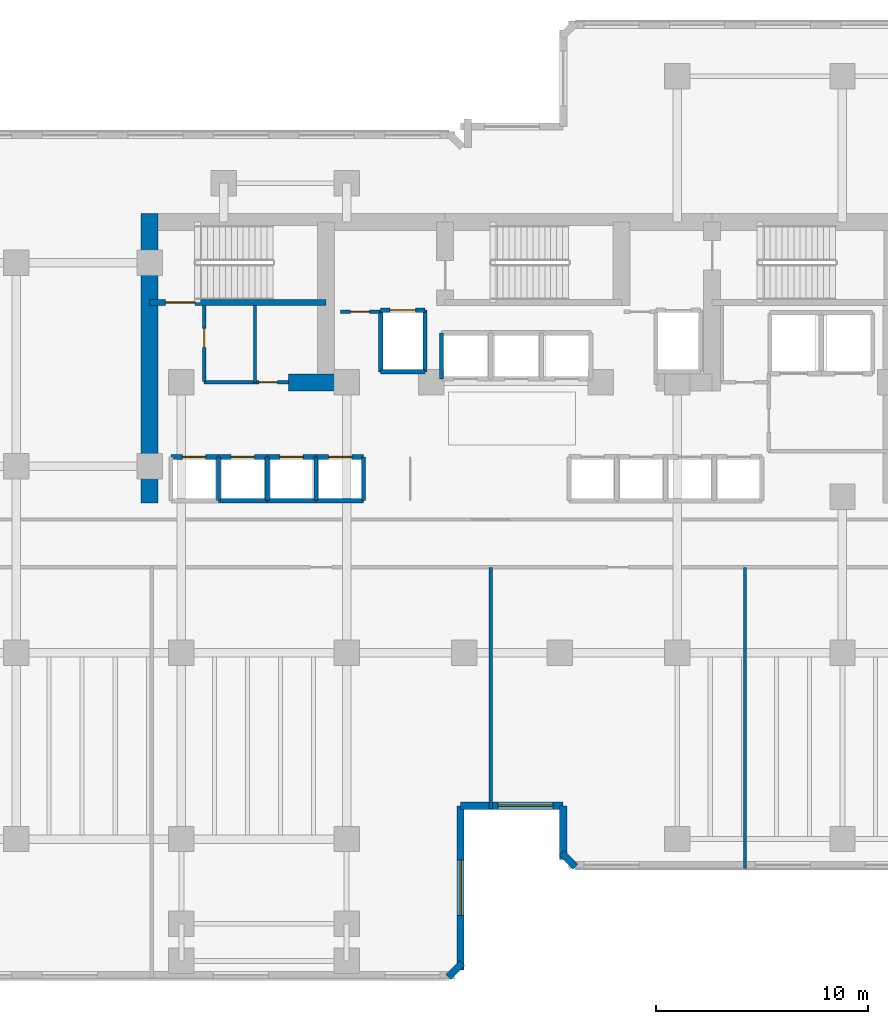
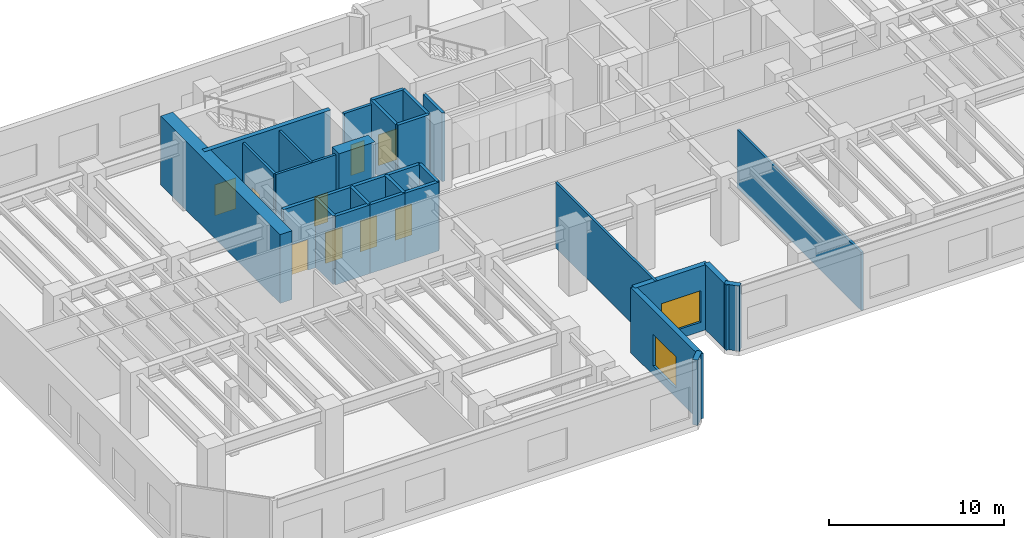
# One storey, part 10 of 17: 30 walls, 9 doors, 2 windows, 11 openings.
"""IFC4 building model written with IfcOpenShell, lengths in metres."""

from ifc_helpers import new_model, si_unit, direction, frame, frame_2d, origin, place, context, subcontext, project, spatial, rectangle, extrude, material, layer, layer_set, type_object, element, fill, save


model = new_model("IFC4")

# Units and contexts
model_context = context("Model", 3, precision=1e-05, world=origin(), true_north=direction((0.0, 1.0)))
body_context = subcontext(model_context, "Body", "Model", "MODEL_VIEW")
ifc_project = project(units=[si_unit("LENGTHUNIT", "METRE"), si_unit("AREAUNIT", "SQUARE_METRE"), si_unit("VOLUMEUNIT", "CUBIC_METRE"), si_unit("PLANEANGLEUNIT", "RADIAN"), si_unit("MASSUNIT", "GRAM", prefix="KILO")], contexts=[model_context])

# Site, building, storey
site_placement = place(None, origin())
site = spatial("IfcSite", under=ifc_project, at=site_placement, CompositionType="ELEMENT")
building_placement = place(site_placement, origin())
building = spatial("IfcBuilding", under=site, at=building_placement, Name="Kestravale Grand Hotel", CompositionType="ELEMENT")
storey_placement = place(building_placement, frame((0.0, 0.0, 129.800048828125)))
storey = spatial("IfcBuildingStorey", under=building, at=storey_placement, Name="L32", CompositionType="ELEMENT", Elevation=129.800048828125)

# Walls
ifc_material_1 = material(Name="Concrete f'c 60 MPa", Category="concrete")
ifc_layer_1 = layer(ifc_material_1, 0.800048828125)
ifc_layer_set_1 = layer_set([ifc_layer_1], Name="EW-CORE-800")
wall_type_1 = type_object("IfcWallType", Name="EW-CORE-800", PredefinedType="SHEAR", material=ifc_layer_set_1)
wall_1_placement = place(storey_placement, frame((21.89990234375, 27.050048828125, 0.0), z_axis=(0.0, 0.0, 1.0), x_axis=(0.0, 1.0, 0.0)))
element("IfcWall", 1, at=wall_1_placement, inside=storey, type_object=wall_type_1, Name="L32 core shear wall W1", PredefinedType="SHEAR", context=body_context, shape_type="SweptSolid", body=[
    extrude(rectangle(XDim=13.669921875, YDim=0.800048828125, at=frame_2d((6.8349609375, 0.0))), origin(), (0.0, 0.0, 1.0), 4.800048828125),
])
wall_2_placement = place(storey_placement, frame((28.449951171875, 32.75, 0.0), z_axis=(0.0, 0.0, 1.0), x_axis=(1.0, 0.0, 0.0)))
element("IfcWall", 2, at=wall_2_placement, inside=storey, type_object=wall_type_1, Name="L32 core shear wall S1", PredefinedType="SHEAR", context=body_context, shape_type="SweptSolid", body=[
    extrude(rectangle(XDim=2.400146484375, YDim=0.800048828125, at=frame_2d((1.2001953125, 0.0))), origin(), (0.0, 0.0, 1.0), 4.800048828125),
])
ifc_material_2 = material(Name="Precast concrete f'c 45 MPa", Category="concrete")
ifc_layer_2 = layer(ifc_material_2, 0.340087890625)
ifc_layer_set_2 = layer_set([ifc_layer_2], Name="EW-PREC-340")
wall_type_2 = type_object("IfcWallType", Name="EW-PREC-340", PredefinedType="SOLIDWALL", material=ifc_layer_set_2)
wall_3_placement = place(storey_placement, frame((36.00146484375, 4.69189453125, 0.0), z_axis=(0.0, 0.0, 1.0), x_axis=(0.707238225886, 0.706975312048, 0.0)))
element("IfcWall", 3, at=wall_3_placement, inside=storey, type_object=wall_type_2, Name="L32 fluted precast facade wall 2", PredefinedType="SOLIDWALL", context=body_context, shape_type="SweptSolid", body=[
    extrude(rectangle(XDim=0.9287109375, YDim=0.340087890625, at=frame_2d((0.46435546875, 0.0))), origin(), (0.0, 0.0, 1.0), 4.550048828125),
])

# Wall, opening, window
wall_4_placement = place(storey_placement, frame((36.580078125, 5.030029296875, 0.0), z_axis=(0.0, 0.0, 1.0), x_axis=(0.0, 1.0, 0.0)))
wall_4 = element("IfcWall", 4, at=wall_4_placement, inside=storey, type_object=wall_type_2, Name="L32 fluted precast facade wall 3", PredefinedType="SOLIDWALL", context=body_context, shape_type="SweptSolid", body=[
    extrude(rectangle(XDim=7.739990234375, YDim=0.340087890625, at=frame_2d((3.8701171875, 0.0))), origin(), (0.0, 0.0, 1.0), 4.550048828125),
])
opening_1_placement = place(wall_4_placement, frame((2.570068359375, 0.0, 0.64990234375)))
opening_1 = element("IfcOpeningElement", 5, at=opening_1_placement, cuts=wall_4, Name="Opening W-SKY-2600", PredefinedType="OPENING", context=body_context, shape_type="SweptSolid", body=[
    extrude(rectangle(XDim=2.60009765625, YDim=2.199951171875, at=frame_2d((1.300048828125, 1.10009765625))), frame((0.0, 0.179931640625, 0.0), z_axis=(0.0, -1.0, 0.0), x_axis=(1.0, 0.0, 0.0)), (0.0, 0.0, 1.0), 0.360107421875),
])
ifc_material_3 = material(Name="Insulated low-E double glazing in aluminium frame", Category="aluminium")
window_type = type_object("IfcWindowType", Name="W-SKY-2600", PartitioningType="TRIPLE_PANEL_VERTICAL", PredefinedType="WINDOW", material=ifc_material_3)
window_1_placement = place(opening_1_placement, origin())
window_1 = element("IfcWindow", 6, at=window_1_placement, inside=storey, type_object=window_type, Name="L32 exterior window 3.1", OverallHeight=2.199951171875, OverallWidth=2.60009765625, PartitioningType="SINGLE_PANEL", PredefinedType="WINDOW", context=body_context, shape_type="SweptSolid", body=[
    extrude(rectangle(XDim=2.60009765625, YDim=2.199951171875, at=frame_2d((1.300048828125, 1.10009765625))), frame((0.0, 0.030029296875, 0.0), z_axis=(0.0, -1.0, 0.0), x_axis=(1.0, 0.0, 0.0)), (0.0, 0.0, 1.0), 0.06005859375),
])
fill(opening_1, window_1)

wall_5_placement = place(storey_placement, frame((36.580078125, 12.77001953125, 0.0), z_axis=(0.0, 0.0, 1.0), x_axis=(1.0, 0.0, 0.0)))
wall_5 = element("IfcWall", 7, at=wall_5_placement, inside=storey, type_object=wall_type_2, Name="L32 fluted precast facade wall 4", PredefinedType="SOLIDWALL", context=body_context, shape_type="SweptSolid", body=[
    extrude(rectangle(XDim=4.83984375, YDim=0.340087890625, at=frame_2d((2.419921875, 0.0))), origin(), (0.0, 0.0, 1.0), 4.550048828125),
])
opening_2_placement = place(wall_5_placement, frame((1.77001953125, 0.0, 0.64990234375)))
opening_2 = element("IfcOpeningElement", 8, at=opening_2_placement, cuts=wall_5, Name="Opening W-SKY-2600", PredefinedType="OPENING", context=body_context, shape_type="SweptSolid", body=[
    extrude(rectangle(XDim=2.60009765625, YDim=2.199951171875, at=frame_2d((1.300048828125, 1.10009765625))), frame((0.0, 0.179931640625, 0.0), z_axis=(0.0, -1.0, 0.0), x_axis=(1.0, 0.0, 0.0)), (0.0, 0.0, 1.0), 0.360107421875),
])
window_2_placement = place(opening_2_placement, origin())
window_2 = element("IfcWindow", 9, at=window_2_placement, inside=storey, type_object=window_type, Name="L32 exterior window 4.1", OverallHeight=2.199951171875, OverallWidth=2.60009765625, PartitioningType="SINGLE_PANEL", PredefinedType="WINDOW", context=body_context, shape_type="SweptSolid", body=[
    extrude(rectangle(XDim=2.60009765625, YDim=2.199951171875, at=frame_2d((1.300048828125, 1.10009765625))), frame((0.0, 0.030029296875, 0.0), z_axis=(0.0, -1.0, 0.0), x_axis=(1.0, 0.0, 0.0)), (0.0, 0.0, 1.0), 0.06005859375),
])
fill(opening_2, window_2)

# Walls
wall_6_placement = place(storey_placement, frame((41.419921875, 12.77001953125, 0.0), z_axis=(0.0, 0.0, 1.0), x_axis=(0.0, -1.0, 0.0)))
element("IfcWall", 10, at=wall_6_placement, inside=storey, type_object=wall_type_2, Name="L32 fluted precast facade wall 5", PredefinedType="SOLIDWALL", context=body_context, shape_type="SweptSolid", body=[
    extrude(rectangle(XDim=2.5400390625, YDim=0.340087890625, at=frame_2d((1.27001953125, 0.0))), origin(), (0.0, 0.0, 1.0), 4.550048828125),
])
wall_7_placement = place(storey_placement, frame((41.341796875, 10.548583984375, 0.0), z_axis=(0.0, 0.0, 1.0), x_axis=(0.707106781187, -0.707106781187, 0.0)))
element("IfcWall", 11, at=wall_7_placement, inside=storey, type_object=wall_type_2, Name="L32 fluted precast facade wall 6", PredefinedType="SOLIDWALL", context=body_context, shape_type="SweptSolid", body=[
    extrude(rectangle(XDim=0.9287109375, YDim=0.340087890625, at=frame_2d((0.46435546875, 0.0))), origin(), (0.0, 0.0, 1.0), 4.550048828125),
])

# Wall, opening, door
ifc_material_4 = material(Name="Concrete f'c 45 MPa", Category="concrete")
ifc_layer_3 = layer(ifc_material_4, 0.300048828125)
ifc_layer_set_3 = layer_set([ifc_layer_3], Name="EW-STAIR-300")
wall_type_3 = type_object("IfcWallType", Name="EW-STAIR-300", PredefinedType="SHEAR", material=ifc_layer_set_3)
wall_8_placement = place(storey_placement, frame((21.89990234375, 36.52001953125, 0.0), z_axis=(0.0, 0.0, 1.0), x_axis=(1.0, 0.0, 0.0)))
wall_8 = element("IfcWall", 12, at=wall_8_placement, inside=storey, type_object=wall_type_3, Name="L32 stair enclosure shear wall SST1", PredefinedType="SHEAR", context=body_context, shape_type="SweptSolid", body=[
    extrude(rectangle(XDim=8.320068359375, YDim=0.300048828125, at=frame_2d((4.16015625, 0.0))), origin(), (0.0, 0.0, 1.0), 4.800048828125),
])
opening_3_placement = place(wall_8_placement, frame((0.75, 0.0, 0.0)))
opening_3 = element("IfcOpeningElement", 13, at=opening_3_placement, cuts=wall_8, Name="Opening D-ST-1400", PredefinedType="OPENING", context=body_context, shape_type="SweptSolid", body=[
    extrude(rectangle(XDim=1.39990234375, YDim=2.14990234375, at=frame_2d((0.699951171875, 1.074951171875))), frame((0.0, 0.159912109375, 0.0), z_axis=(0.0, -1.0, 0.0), x_axis=(1.0, 0.0, 0.0)), (0.0, 0.0, 1.0), 0.320068359375),
])
ifc_material_5 = material(Name="Galvanised 90-minute fire-rated steel stair door, double leaf", Category="steel")
door_type_1 = type_object("IfcDoorType", Name="D-ST-1400", OperationType="NOTDEFINED", PredefinedType="DOOR", material=ifc_material_5)
door_1_placement = place(opening_3_placement, origin())
door_1 = element("IfcDoor", 14, at=door_1_placement, inside=storey, type_object=door_type_1, Name="L32 Stair ST-1 fire door", OperationType="DOUBLE_DOOR_SINGLE_SWING", OverallHeight=2.14990234375, OverallWidth=1.39990234375, PredefinedType="DOOR", context=body_context, shape_type="SweptSolid", body=[
    extrude(rectangle(XDim=1.39990234375, YDim=2.14990234375, at=frame_2d((0.699951171875, 1.074951171875))), frame((0.0, 0.02490234375, 0.0), z_axis=(0.0, -1.0, 0.0), x_axis=(1.0, 0.0, 0.0)), (0.0, 0.0, 1.0), 0.050048828125),
])
fill(opening_3, door_1)

ifc_material_6 = material(Name="Acoustic fire-rated gypsum board partition", Category="other")
ifc_layer_4 = layer(ifc_material_6, 0.159912109375)
ifc_layer_set_4 = layer_set([ifc_layer_4], Name="IW-CORR-160")
wall_type_4 = type_object("IfcWallType", Name="IW-CORR-160", PredefinedType="PARTITIONING", material=ifc_layer_set_4)
wall_9_placement = place(storey_placement, frame((24.47998046875, 32.800048828125, 0.0), z_axis=(0.0, 0.0, 1.0), x_axis=(0.0, 1.0, 0.0)))
wall_9 = element("IfcWall", 15, at=wall_9_placement, inside=storey, type_object=wall_type_4, Name="L32 west core vestibule wall", PredefinedType="PARTITIONING", context=body_context, shape_type="SweptSolid", body=[
    extrude(rectangle(XDim=3.570068359375, YDim=0.159912109375, at=frame_2d((1.78515625, 0.0))), origin(), (0.0, 0.0, 1.0), 4.550048828125),
])
opening_4_placement = place(wall_9_placement, frame((1.603515625, 0.0, 0.0)))
opening_4 = element("IfcOpeningElement", 16, at=opening_4_placement, cuts=wall_9, Name="Opening D-SH-900", PredefinedType="OPENING", context=body_context, shape_type="SweptSolid", body=[
    extrude(rectangle(XDim=0.89990234375, YDim=2.10009765625, at=frame_2d((0.449951171875, 1.050048828125))), frame((0.0, 0.08984375, 0.0), z_axis=(0.0, -1.0, 0.0), x_axis=(1.0, 0.0, 0.0)), (0.0, 0.0, 1.0), 0.179931640625),
])
ifc_material_7 = material(Name="Galvanised 90-minute shaft and service fire door", Category="steel")
door_type_2 = type_object("IfcDoorType", Name="D-SH-900", OperationType="NOTDEFINED", PredefinedType="DOOR", material=ifc_material_7)
door_2_placement = place(opening_4_placement, origin())
door_2 = element("IfcDoor", 17, at=door_2_placement, inside=storey, type_object=door_type_2, Name="D-L32-HK", OperationType="SINGLE_SWING_RIGHT", OverallHeight=2.10009765625, OverallWidth=0.89990234375, PredefinedType="DOOR", context=body_context, shape_type="SweptSolid", body=[
    extrude(rectangle(XDim=0.89990234375, YDim=2.10009765625, at=frame_2d((0.449951171875, 1.050048828125))), frame((0.0, 0.02490234375, 0.0), z_axis=(0.0, -1.0, 0.0), x_axis=(1.0, 0.0, 0.0)), (0.0, 0.0, 1.0), 0.050048828125),
])
fill(opening_4, door_2)

wall_10_placement = place(storey_placement, frame((24.47998046875, 32.75, 0.0), z_axis=(0.0, 0.0, 1.0), x_axis=(1.0, 0.0, 0.0)))
wall_10 = element("IfcWall", 18, at=wall_10_placement, inside=storey, type_object=wall_type_4, Name="W-L32-CWS", PredefinedType="PARTITIONING", context=body_context, shape_type="SweptSolid", body=[
    extrude(rectangle(XDim=3.969970703125, YDim=0.159912109375, at=frame_2d((1.98486328125, 0.0))), origin(), (0.0, 0.0, 1.0), 4.550048828125),
])
opening_5_placement = place(wall_10_placement, frame((2.574951171875, 0.0, 0.0)))
opening_5 = element("IfcOpeningElement", 19, at=opening_5_placement, cuts=wall_10, Name="Opening D-BATH-880", PredefinedType="OPENING", context=body_context, shape_type="SweptSolid", body=[
    extrude(rectangle(XDim=0.8798828125, YDim=2.050048828125, at=frame_2d((0.43994140625, 1.02490234375))), frame((0.0, 0.08984375, 0.0), z_axis=(0.0, -1.0, 0.0), x_axis=(1.0, 0.0, 0.0)), (0.0, 0.0, 1.0), 0.179931640625),
])
ifc_material_8 = material(Name="Moisture-sealed walnut en-suite bathroom door", Category="wood")
door_type_3 = type_object("IfcDoorType", Name="D-BATH-880", OperationType="NOTDEFINED", PredefinedType="DOOR", material=ifc_material_8)
door_3_placement = place(opening_5_placement, origin())
door_3 = element("IfcDoor", 20, at=door_3_placement, inside=storey, type_object=door_type_3, Name="D-L32-SWC", OperationType="SINGLE_SWING_RIGHT", OverallHeight=2.050048828125, OverallWidth=0.8798828125, PredefinedType="DOOR", context=body_context, shape_type="SweptSolid", body=[
    extrude(rectangle(XDim=0.8798828125, YDim=2.050048828125, at=frame_2d((0.43994140625, 1.02490234375))), frame((0.0, 0.02490234375, 0.0), z_axis=(0.0, -1.0, 0.0), x_axis=(1.0, 0.0, 0.0)), (0.0, 0.0, 1.0), 0.050048828125),
])
fill(opening_5, door_3)

ifc_material_9 = material(Name="Fire-rated gypsum board on steel studs with mineral wool", Category="steel")
ifc_layer_5 = layer(ifc_material_9, 0.179931640625)
ifc_layer_set_5 = layer_set([ifc_layer_5], Name="IW-FSAE-180")
wall_type_5 = type_object("IfcWallType", Name="IW-FSAE-180", PredefinedType="PARTITIONING", material=ifc_layer_set_5)
wall_11_placement = place(storey_placement, frame((30.89990234375, 36.080078125, 0.0), z_axis=(0.0, 0.0, 1.0), x_axis=(1.0, 0.0, 0.0)))
wall_11 = element("IfcWall", 21, at=wall_11_placement, inside=storey, type_object=wall_type_5, Name="L32 FSAE Lobby 1 smoke barrier", PredefinedType="PARTITIONING", context=body_context, shape_type="SweptSolid", body=[
    extrude(rectangle(XDim=1.85009765625, YDim=0.179931640625, at=frame_2d((0.925048828125, 0.0))), origin(), (0.0, 0.0, 1.0), 4.550048828125),
])
opening_6_placement = place(wall_11_placement, frame((0.47998046875, 0.0, 0.0)))
opening_6 = element("IfcOpeningElement", 22, at=opening_6_placement, cuts=wall_11, Name="Opening D-FSAE-1000", PredefinedType="OPENING", context=body_context, shape_type="SweptSolid", body=[
    extrude(rectangle(XDim=0.89990234375, YDim=2.14990234375, at=frame_2d((0.449951171875, 1.074951171875))), frame((0.0, 0.099853515625, 0.0), z_axis=(0.0, -1.0, 0.0), x_axis=(1.0, 0.0, 0.0)), (0.0, 0.0, 1.0), 0.199951171875),
])
ifc_material_10 = material(Name="Smoke-gasketed FSAE lobby fire door", Category="steel")
door_type_4 = type_object("IfcDoorType", Name="D-FSAE-1000", OperationType="NOTDEFINED", PredefinedType="DOOR", material=ifc_material_10)
door_4_placement = place(opening_6_placement, origin())
door_4 = element("IfcDoor", 23, at=door_4_placement, inside=storey, type_object=door_type_4, Name="L32 FSAE Lobby 1 fire door", OperationType="SINGLE_SWING_RIGHT", OverallHeight=2.14990234375, OverallWidth=0.89990234375, PredefinedType="DOOR", context=body_context, shape_type="SweptSolid", body=[
    extrude(rectangle(XDim=0.89990234375, YDim=2.14990234375, at=frame_2d((0.449951171875, 1.074951171875))), frame((0.0, 0.02490234375, 0.0), z_axis=(0.0, -1.0, 0.0), x_axis=(1.0, 0.0, 0.0)), (0.0, 0.0, 1.0), 0.050048828125),
])
fill(opening_6, door_4)

# Walls
ifc_material_11 = material(Name="Concrete f'c 45 MPa", Category="concrete")
ifc_layer_6 = layer(ifc_material_11, 0.199951171875)
ifc_layer_set_6 = layer_set([ifc_layer_6], Name="IW-SHAFT-200")
wall_type_6 = type_object("IfcWallType", Name="IW-SHAFT-200", PredefinedType="SHEAR", material=ifc_layer_set_6)
for number, where, z_axis, x_axis, name in (
    (24, (25.14990234375, 27.169921875, 0.0), (0.0, 0.0, 1.0), (0.0, 1.0, 0.0), "L32 PL-L2 west shaft wall"),
    (25, (27.449951171875, 27.169921875, 0.0), (0.0, 0.0, 1.0), (0.0, 1.0, 0.0), "L32 PL-L3 west shaft wall"),
    (26, (29.75, 27.169921875, 0.0), (0.0, 0.0, 1.0), (0.0, 1.0, 0.0), "L32 PL-L4 west shaft wall"),
    (27, (31.9951171875, 27.169921875, 0.0), (0.0, 0.0, 1.0), (0.0, 1.0, 0.0), "L32 PL-L4 east shaft wall"),
):
    element("IfcWall", number, at=place(storey_placement, frame(where, z_axis=z_axis, x_axis=x_axis)), inside=storey, type_object=wall_type_6, Name=name, PredefinedType="SHEAR", context=body_context, shape_type="SweptSolid", body=[
        extrude(rectangle(XDim=2.06005859375, YDim=0.199951171875, at=frame_2d((1.030029296875, 0.0))), origin(), (0.0, 0.0, 1.0), 4.800048828125),
    ])
wall_12_placement = place(storey_placement, frame((35.679931640625, 32.919921875, 0.0), z_axis=(0.0, 0.0, 1.0), x_axis=(0.0, 1.0, 0.0)))
element("IfcWall", 28, at=wall_12_placement, inside=storey, type_object=wall_type_6, Name="L32 PL-X1 west shaft wall", PredefinedType="SHEAR", context=body_context, shape_type="SweptSolid", body=[
    extrude(rectangle(XDim=2.16015625, YDim=0.199951171875, at=frame_2d((1.080078125, 0.0))), origin(), (0.0, 0.0, 1.0), 4.800048828125),
])
for number, where, z_axis, x_axis, name in (
    (29, (32.804931640625, 33.2451171875, 0.0), (0.0, 0.0, 1.0), (0.0, 1.0, 0.0), "L32 FL-1 west shaft wall"),
    (30, (34.89501953125, 33.2451171875, 0.0), (0.0, 0.0, 1.0), (0.0, 1.0, 0.0), "L32 FL-1 east shaft wall"),
):
    element("IfcWall", number, at=place(storey_placement, frame(where, z_axis=z_axis, x_axis=x_axis)), inside=storey, type_object=wall_type_6, Name=name, PredefinedType="SHEAR", context=body_context, shape_type="SweptSolid", body=[
        extrude(rectangle(XDim=2.909912109375, YDim=0.199951171875, at=frame_2d((1.455078125, 0.0))), origin(), (0.0, 0.0, 1.0), 4.800048828125),
    ])

# Wall, opening, door
ifc_material_12 = material(Name="Concrete f'c 45 MPa", Category="concrete")
ifc_layer_7 = layer(ifc_material_12, 0.219970703125)
ifc_layer_set_7 = layer_set([ifc_layer_7], Name="IW-SHAFT-220")
wall_type_7 = type_object("IfcWallType", Name="IW-SHAFT-220", PredefinedType="SHEAR", material=ifc_layer_set_7)
wall_13_placement = place(storey_placement, frame((22.905029296875, 29.22998046875, 0.0), z_axis=(0.0, 0.0, 1.0), x_axis=(1.0, 0.0, 0.0)))
wall_13 = element("IfcWall", 31, at=wall_13_placement, inside=storey, type_object=wall_type_7, Name="L32 PL-L1 north shaft wall", PredefinedType="SHEAR", context=body_context, shape_type="SweptSolid", body=[
    extrude(rectangle(XDim=2.244873046875, YDim=0.219970703125, at=frame_2d((1.12255859375, 0.0))), origin(), (0.0, 0.0, 1.0), 4.800048828125),
])
opening_7_placement = place(wall_13_placement, frame((0.544921875, 0.0, 0.0)))
opening_7 = element("IfcOpeningElement", 32, at=opening_7_placement, cuts=wall_13, Name="Opening LD-PAX-1100", PredefinedType="OPENING", context=body_context, shape_type="SweptSolid", body=[
    extrude(rectangle(XDim=1.10009765625, YDim=2.14990234375, at=frame_2d((0.550048828125, 1.074951171875))), frame((0.0, 0.119873046875, 0.0), z_axis=(0.0, -1.0, 0.0), x_axis=(1.0, 0.0, 0.0)), (0.0, 0.0, 1.0), 0.239990234375),
])
ifc_material_13 = material(Name="Champagne-bronze center-opening sliding elevator landing door", Category="steel")
door_type_5 = type_object("IfcDoorType", Name="LD-PAX-1100", OperationType="NOTDEFINED", PredefinedType="DOOR", material=ifc_material_13)
door_5_placement = place(opening_7_placement, origin())
door_5 = element("IfcDoor", 33, at=door_5_placement, inside=storey, type_object=door_type_5, Name="L32 PL-L1 elevator landing sliding door", OperationType="DOUBLE_DOOR_SLIDING", OverallHeight=2.14990234375, OverallWidth=1.10009765625, PredefinedType="DOOR", context=body_context, shape_type="SweptSolid", body=[
    extrude(rectangle(XDim=1.10009765625, YDim=2.14990234375, at=frame_2d((0.550048828125, 1.074951171875))), frame((0.0, 0.02490234375, 0.0), z_axis=(0.0, -1.0, 0.0), x_axis=(1.0, 0.0, 0.0)), (0.0, 0.0, 1.0), 0.050048828125),
])
fill(opening_7, door_5)

wall_14_placement = place(storey_placement, frame((25.14990234375, 29.22998046875, 0.0), z_axis=(0.0, 0.0, 1.0), x_axis=(1.0, 0.0, 0.0)))
wall_14 = element("IfcWall", 34, at=wall_14_placement, inside=storey, type_object=wall_type_7, Name="L32 PL-L2 north shaft wall", PredefinedType="SHEAR", context=body_context, shape_type="SweptSolid", body=[
    extrude(rectangle(XDim=2.300048828125, YDim=0.219970703125, at=frame_2d((1.14990234375, 0.0))), origin(), (0.0, 0.0, 1.0), 4.800048828125),
])
opening_8_placement = place(wall_14_placement, frame((0.60009765625, 0.0, 0.0)))
opening_8 = element("IfcOpeningElement", 35, at=opening_8_placement, cuts=wall_14, Name="Opening LD-PAX-1100", PredefinedType="OPENING", context=body_context, shape_type="SweptSolid", body=[
    extrude(rectangle(XDim=1.10009765625, YDim=2.14990234375, at=frame_2d((0.550048828125, 1.074951171875))), frame((0.0, 0.119873046875, 0.0), z_axis=(0.0, -1.0, 0.0), x_axis=(1.0, 0.0, 0.0)), (0.0, 0.0, 1.0), 0.239990234375),
])
door_6_placement = place(opening_8_placement, origin())
door_6 = element("IfcDoor", 36, at=door_6_placement, inside=storey, type_object=door_type_5, Name="L32 PL-L2 elevator landing sliding door", OperationType="DOUBLE_DOOR_SLIDING", OverallHeight=2.14990234375, OverallWidth=1.10009765625, PredefinedType="DOOR", context=body_context, shape_type="SweptSolid", body=[
    extrude(rectangle(XDim=1.10009765625, YDim=2.14990234375, at=frame_2d((0.550048828125, 1.074951171875))), frame((0.0, 0.02490234375, 0.0), z_axis=(0.0, -1.0, 0.0), x_axis=(1.0, 0.0, 0.0)), (0.0, 0.0, 1.0), 0.050048828125),
])
fill(opening_8, door_6)

# Wall
wall_15_placement = place(storey_placement, frame((25.14990234375, 27.169921875, 0.0), z_axis=(0.0, 0.0, 1.0), x_axis=(1.0, 0.0, 0.0)))
element("IfcWall", 37, at=wall_15_placement, inside=storey, type_object=wall_type_7, Name="L32 PL-L2 south shaft wall", PredefinedType="SHEAR", context=body_context, shape_type="SweptSolid", body=[
    extrude(rectangle(XDim=2.300048828125, YDim=0.219970703125, at=frame_2d((1.14990234375, 0.0))), origin(), (0.0, 0.0, 1.0), 4.800048828125),
])

# Wall, opening, door
wall_16_placement = place(storey_placement, frame((27.449951171875, 29.22998046875, 0.0), z_axis=(0.0, 0.0, 1.0), x_axis=(1.0, 0.0, 0.0)))
wall_16 = element("IfcWall", 38, at=wall_16_placement, inside=storey, type_object=wall_type_7, Name="L32 PL-L3 north shaft wall", PredefinedType="SHEAR", context=body_context, shape_type="SweptSolid", body=[
    extrude(rectangle(XDim=2.300048828125, YDim=0.219970703125, at=frame_2d((1.14990234375, 0.0))), origin(), (0.0, 0.0, 1.0), 4.800048828125),
])
opening_9_placement = place(wall_16_placement, frame((0.60009765625, 0.0, 0.0)))
opening_9 = element("IfcOpeningElement", 39, at=opening_9_placement, cuts=wall_16, Name="Opening LD-PAX-1100", PredefinedType="OPENING", context=body_context, shape_type="SweptSolid", body=[
    extrude(rectangle(XDim=1.10009765625, YDim=2.14990234375, at=frame_2d((0.550048828125, 1.074951171875))), frame((0.0, 0.119873046875, 0.0), z_axis=(0.0, -1.0, 0.0), x_axis=(1.0, 0.0, 0.0)), (0.0, 0.0, 1.0), 0.239990234375),
])
door_7_placement = place(opening_9_placement, origin())
door_7 = element("IfcDoor", 40, at=door_7_placement, inside=storey, type_object=door_type_5, Name="L32 PL-L3 elevator landing sliding door", OperationType="DOUBLE_DOOR_SLIDING", OverallHeight=2.14990234375, OverallWidth=1.10009765625, PredefinedType="DOOR", context=body_context, shape_type="SweptSolid", body=[
    extrude(rectangle(XDim=1.10009765625, YDim=2.14990234375, at=frame_2d((0.550048828125, 1.074951171875))), frame((0.0, 0.02490234375, 0.0), z_axis=(0.0, -1.0, 0.0), x_axis=(1.0, 0.0, 0.0)), (0.0, 0.0, 1.0), 0.050048828125),
])
fill(opening_9, door_7)

# Wall
wall_17_placement = place(storey_placement, frame((27.449951171875, 27.169921875, 0.0), z_axis=(0.0, 0.0, 1.0), x_axis=(1.0, 0.0, 0.0)))
element("IfcWall", 41, at=wall_17_placement, inside=storey, type_object=wall_type_7, Name="L32 PL-L3 south shaft wall", PredefinedType="SHEAR", context=body_context, shape_type="SweptSolid", body=[
    extrude(rectangle(XDim=2.300048828125, YDim=0.219970703125, at=frame_2d((1.14990234375, 0.0))), origin(), (0.0, 0.0, 1.0), 4.800048828125),
])

# Wall, opening, door
wall_18_placement = place(storey_placement, frame((29.75, 29.22998046875, 0.0), z_axis=(0.0, 0.0, 1.0), x_axis=(1.0, 0.0, 0.0)))
wall_18 = element("IfcWall", 42, at=wall_18_placement, inside=storey, type_object=wall_type_7, Name="L32 PL-L4 north shaft wall", PredefinedType="SHEAR", context=body_context, shape_type="SweptSolid", body=[
    extrude(rectangle(XDim=2.2451171875, YDim=0.219970703125, at=frame_2d((1.12255859375, 0.0))), origin(), (0.0, 0.0, 1.0), 4.800048828125),
])
opening_10_placement = place(wall_18_placement, frame((0.60009765625, 0.0, 0.0)))
opening_10 = element("IfcOpeningElement", 43, at=opening_10_placement, cuts=wall_18, Name="Opening LD-PAX-1100", PredefinedType="OPENING", context=body_context, shape_type="SweptSolid", body=[
    extrude(rectangle(XDim=1.10009765625, YDim=2.14990234375, at=frame_2d((0.550048828125, 1.074951171875))), frame((0.0, 0.119873046875, 0.0), z_axis=(0.0, -1.0, 0.0), x_axis=(1.0, 0.0, 0.0)), (0.0, 0.0, 1.0), 0.239990234375),
])
door_8_placement = place(opening_10_placement, origin())
door_8 = element("IfcDoor", 44, at=door_8_placement, inside=storey, type_object=door_type_5, Name="L32 PL-L4 elevator landing sliding door", OperationType="DOUBLE_DOOR_SLIDING", OverallHeight=2.14990234375, OverallWidth=1.10009765625, PredefinedType="DOOR", context=body_context, shape_type="SweptSolid", body=[
    extrude(rectangle(XDim=1.10009765625, YDim=2.14990234375, at=frame_2d((0.550048828125, 1.074951171875))), frame((0.0, 0.02490234375, 0.0), z_axis=(0.0, -1.0, 0.0), x_axis=(1.0, 0.0, 0.0)), (0.0, 0.0, 1.0), 0.050048828125),
])
fill(opening_10, door_8)

# Wall
wall_19_placement = place(storey_placement, frame((29.75, 27.169921875, 0.0), z_axis=(0.0, 0.0, 1.0), x_axis=(1.0, 0.0, 0.0)))
element("IfcWall", 45, at=wall_19_placement, inside=storey, type_object=wall_type_7, Name="L32 PL-L4 south shaft wall", PredefinedType="SHEAR", context=body_context, shape_type="SweptSolid", body=[
    extrude(rectangle(XDim=2.2451171875, YDim=0.219970703125, at=frame_2d((1.12255859375, 0.0))), origin(), (0.0, 0.0, 1.0), 4.800048828125),
])

# Wall, opening, door
wall_20_placement = place(storey_placement, frame((32.804931640625, 36.155029296875, 0.0), z_axis=(0.0, 0.0, 1.0), x_axis=(1.0, 0.0, 0.0)))
wall_20 = element("IfcWall", 46, at=wall_20_placement, inside=storey, type_object=wall_type_7, Name="L32 FL-1 north shaft wall", PredefinedType="SHEAR", context=body_context, shape_type="SweptSolid", body=[
    extrude(rectangle(XDim=2.090087890625, YDim=0.219970703125, at=frame_2d((1.044921875, 0.0))), origin(), (0.0, 0.0, 1.0), 4.800048828125),
])
opening_11_placement = place(wall_20_placement, frame((0.445068359375, 0.0, 0.0)))
opening_11 = element("IfcOpeningElement", 47, at=opening_11_placement, cuts=wall_20, Name="Opening LD-FSAE-1200", PredefinedType="OPENING", context=body_context, shape_type="SweptSolid", body=[
    extrude(rectangle(XDim=1.199951171875, YDim=2.14990234375, at=frame_2d((0.60009765625, 1.074951171875))), frame((0.0, 0.119873046875, 0.0), z_axis=(0.0, -1.0, 0.0), x_axis=(1.0, 0.0, 0.0)), (0.0, 0.0, 1.0), 0.239990234375),
])
ifc_material_14 = material(Name="Stainless fire-service sliding elevator landing door", Category="steel")
door_type_6 = type_object("IfcDoorType", Name="LD-FSAE-1200", OperationType="NOTDEFINED", PredefinedType="DOOR", material=ifc_material_14)
door_9_placement = place(opening_11_placement, origin())
door_9 = element("IfcDoor", 48, at=door_9_placement, inside=storey, type_object=door_type_6, Name="L32 FL-1 elevator landing sliding door", OperationType="DOUBLE_DOOR_SLIDING", OverallHeight=2.14990234375, OverallWidth=1.199951171875, PredefinedType="DOOR", context=body_context, shape_type="SweptSolid", body=[
    extrude(rectangle(XDim=1.199951171875, YDim=2.14990234375, at=frame_2d((0.60009765625, 1.074951171875))), frame((0.0, 0.02490234375, 0.0), z_axis=(0.0, -1.0, 0.0), x_axis=(1.0, 0.0, 0.0)), (0.0, 0.0, 1.0), 0.050048828125),
])
fill(opening_11, door_9)

# Walls
wall_21_placement = place(storey_placement, frame((32.804931640625, 33.2451171875, 0.0), z_axis=(0.0, 0.0, 1.0), x_axis=(1.0, 0.0, 0.0)))
element("IfcWall", 49, at=wall_21_placement, inside=storey, type_object=wall_type_7, Name="L32 FL-1 south shaft wall", PredefinedType="SHEAR", context=body_context, shape_type="SweptSolid", body=[
    extrude(rectangle(XDim=2.090087890625, YDim=0.219970703125, at=frame_2d((1.044921875, 0.0))), origin(), (0.0, 0.0, 1.0), 4.800048828125),
])
ifc_material_15 = material(Name="Double-stud STC 52 acoustic demising partition", Category="other")
ifc_layer_8 = layer(ifc_material_15, 0.14990234375)
ifc_layer_set_8 = layer_set([ifc_layer_8], Name="IW-UNIT-150")
wall_type_8 = type_object("IfcWallType", Name="IW-UNIT-150", PredefinedType="PARTITIONING", material=ifc_layer_set_8)
wall_22_placement = place(storey_placement, frame((26.8798828125, 32.75, 0.0), z_axis=(0.0, 0.0, 1.0), x_axis=(0.0, 1.0, 0.0)))
element("IfcWall", 50, at=wall_22_placement, inside=storey, type_object=wall_type_8, Name="W-L32-CC3-V", PredefinedType="PARTITIONING", context=body_context, shape_type="SweptSolid", body=[
    extrude(rectangle(XDim=3.6201171875, YDim=0.14990234375, at=frame_2d((1.81005859375, 0.0))), origin(), (0.0, 0.0, 1.0), 4.550048828125),
])
wall_23_placement = place(storey_placement, frame((38.0, 12.6201171875, 0.0), z_axis=(0.0, 0.0, 1.0), x_axis=(0.0, 1.0, 0.0)))
element("IfcWall", 51, at=wall_23_placement, inside=storey, type_object=wall_type_8, Name="W-L32-SD-2", PredefinedType="PARTITIONING", context=body_context, shape_type="SweptSolid", body=[
    extrude(rectangle(XDim=11.39990234375, YDim=0.14990234375, at=frame_2d((5.699951171875, 0.0))), origin(), (0.0, 0.0, 1.0), 4.550048828125),
])
wall_24_placement = place(storey_placement, frame((50.0, 9.820068359375, 0.0), z_axis=(0.0, 0.0, 1.0), x_axis=(0.0, 1.0, 0.0)))
element("IfcWall", 52, at=wall_24_placement, inside=storey, type_object=wall_type_8, Name="W-L32-SD-3", PredefinedType="PARTITIONING", context=body_context, shape_type="SweptSolid", body=[
    extrude(rectangle(XDim=14.199951171875, YDim=0.14990234375, at=frame_2d((7.10009765625, 0.0))), origin(), (0.0, 0.0, 1.0), 4.052978515625),
])

save(model, "model.ifc")
